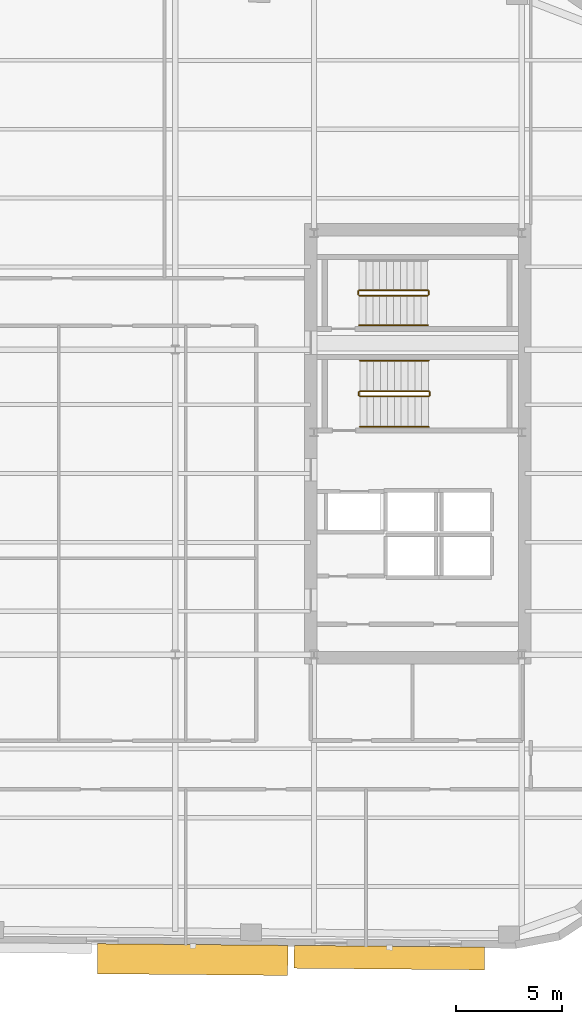
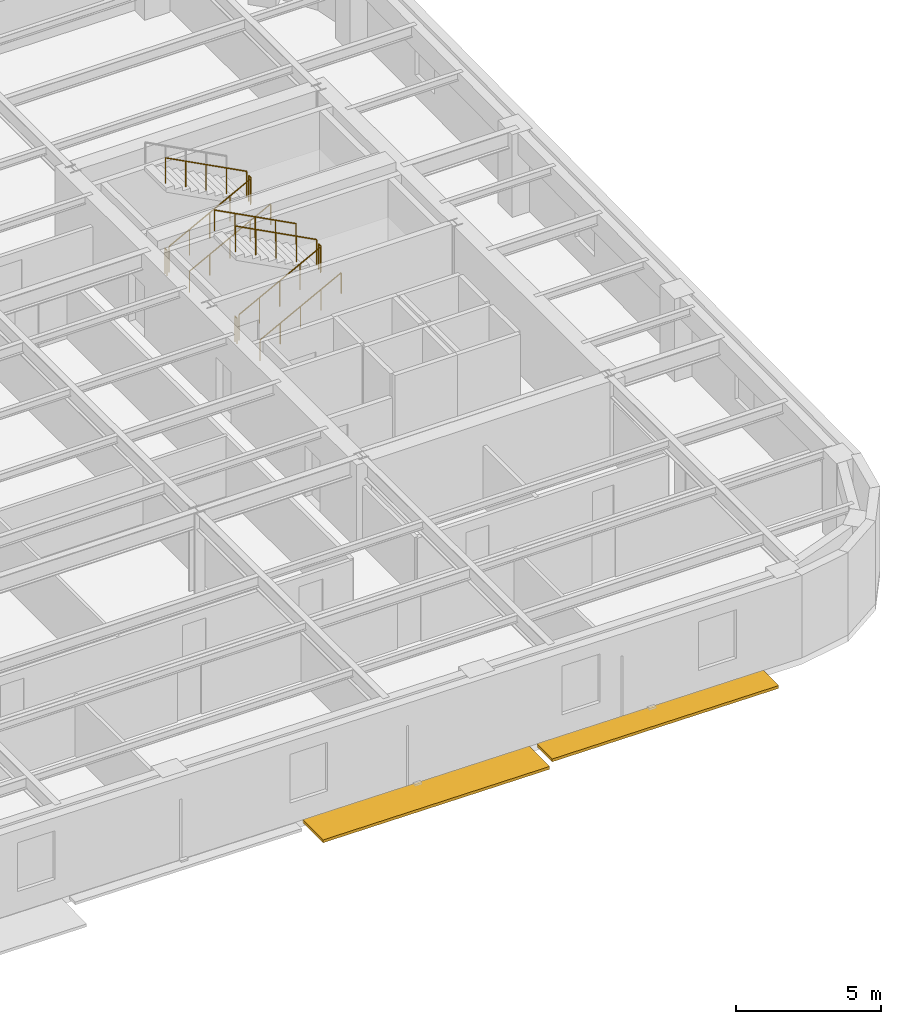
# One storey, part 10 of 11: 11 railings, 2 shading devices.
"""IFC4 building model written with IfcOpenShell, lengths in metres."""

from ifc_helpers import new_model, si_unit, direction, frame, origin, origin_2d, place, context, subcontext, project, spatial, rectangle, circle, extrude, material, type_object, element, save


model = new_model("IFC4")

# Units and contexts
model_context = context("Model", 3, precision=1e-05, world=origin(), true_north=direction((0.0, 1.0)))
body_context = subcontext(model_context, "Body", "Model", "MODEL_VIEW")
ifc_project = project(units=[si_unit("LENGTHUNIT", "METRE"), si_unit("AREAUNIT", "SQUARE_METRE"), si_unit("VOLUMEUNIT", "CUBIC_METRE"), si_unit("PLANEANGLEUNIT", "RADIAN"), si_unit("MASSUNIT", "GRAM", prefix="KILO")], contexts=[model_context])

# Site, building, storey
site_placement = place(None, origin())
site = spatial("IfcSite", under=ifc_project, at=site_placement, CompositionType="ELEMENT")
building_placement = place(site_placement, origin())
building = spatial("IfcBuilding", under=site, at=building_placement, Name="Kolvaren Arena Tower", CompositionType="ELEMENT")
storey_placement = place(building_placement, frame((0.0, 0.0, 173.449951171875)))
storey = spatial("IfcBuildingStorey", under=building, at=storey_placement, Name="L41", CompositionType="ELEMENT", Elevation=173.449951171875)

# Railings
ifc_material_1 = material(Name="Painted galvanized steel", Category="steel")
railing_type_1 = type_object("IfcRailingType", Name="GUARD-ST-110", PredefinedType="GUARDRAIL", material=ifc_material_1)
railing_1_placement = place(storey_placement, frame((52.719970703125, 31.639892578125, 0.17041015625)))
element("IfcRailing", 1, at=railing_1_placement, inside=storey, type_object=railing_type_1, Name="L41 ST-E1 stair guard 1", PredefinedType="GUARDRAIL", context=body_context, shape_type="SweptSolid", body=[
    extrude(circle(Radius=0.02392578125, at=origin_2d()), frame((0.0, 0.0, 1.076171875), z_axis=(0.884993431791, 0.0, 0.465603506952), x_axis=(0.0, 1.0, 0.0)), (0.0, 0.0, 1.0), 3.6611328125),
    extrude(circle(Radius=0.02099609375, at=origin_2d()), origin(), (0.0, 0.0, 1.0), 1.052001953125),
    extrude(circle(Radius=0.02099609375, at=origin_2d()), frame((0.81005859375, 0.0, 0.42626953125)), (0.0, 0.0, 1.0), 1.052001953125),
    extrude(circle(Radius=0.02099609375, at=origin_2d()), frame((1.6201171875, 0.0, 0.852294921875)), (0.0, 0.0, 1.0), 1.052001953125),
    extrude(circle(Radius=0.02099609375, at=origin_2d()), frame((2.429931640625, 0.0, 1.2783203125)), (0.0, 0.0, 1.0), 1.052001953125),
    extrude(circle(Radius=0.02099609375, at=origin_2d()), frame((3.239990234375, 0.0, 1.70458984375)), (0.0, 0.0, 1.0), 1.052001953125),
])
railing_2_placement = place(storey_placement, frame((56.010009765625, 31.68994140625, 1.875)))
element("IfcRailing", 2, at=railing_2_placement, inside=storey, type_object=railing_type_1, Name="L41 ST-E1 stair guard 2", PredefinedType="GUARDRAIL", context=body_context, shape_type="SweptSolid", body=[
    extrude(circle(Radius=0.02392578125, at=origin_2d()), frame((0.0, 0.0, 1.076171875), z_axis=(0.0, 1.0, 0.0), x_axis=(-1.0, 0.0, 0.0)), (0.0, 0.0, 1.0), 0.150146484375),
    extrude(circle(Radius=0.02099609375, at=origin_2d()), origin(), (0.0, 0.0, 1.0), 1.052001953125),
    extrude(circle(Radius=0.02099609375, at=origin_2d()), frame((0.0, 0.150146484375, 0.0)), (0.0, 0.0, 1.0), 1.052001953125),
])
railing_3_placement = place(storey_placement, frame((55.9599609375, 31.889892578125, 2.04541015625)))
element("IfcRailing", 3, at=railing_3_placement, inside=storey, type_object=railing_type_1, Name="L41 ST-E1 stair guard 3", PredefinedType="GUARDRAIL", context=body_context, shape_type="SweptSolid", body=[
    extrude(circle(Radius=0.02392578125, at=origin_2d()), frame((0.0, 0.0, 1.076171875), z_axis=(-0.884993431791, 0.0, 0.465603506952), x_axis=(0.0, -1.0, 0.0)), (0.0, 0.0, 1.0), 3.6611328125),
    extrude(circle(Radius=0.02099609375, at=origin_2d()), origin(), (0.0, 0.0, 1.0), 1.052001953125),
    extrude(circle(Radius=0.02099609375, at=origin_2d()), frame((-0.81005859375, 0.0, 0.42626953125)), (0.0, 0.0, 1.0), 1.052001953125),
    extrude(circle(Radius=0.02099609375, at=origin_2d()), frame((-1.6201171875, 0.0, 0.852294921875)), (0.0, 0.0, 1.0), 1.052001953125),
    extrude(circle(Radius=0.02099609375, at=origin_2d()), frame((-2.429931640625, 0.0, 1.2783203125)), (0.0, 0.0, 1.0), 1.052001953125),
    extrude(circle(Radius=0.02099609375, at=origin_2d()), frame((-3.239990234375, 0.0, 1.70458984375)), (0.0, 0.0, 1.0), 1.052001953125),
])
railing_4_placement = place(storey_placement, frame((52.669921875, 31.68994140625, 0.0)))
element("IfcRailing", 4, at=railing_4_placement, inside=storey, type_object=railing_type_1, Name="L41 ST-E1 stair guard 4", PredefinedType="GUARDRAIL", context=body_context, shape_type="SweptSolid", body=[
    extrude(circle(Radius=0.02392578125, at=origin_2d()), frame((0.0, 0.0, 1.076171875), z_axis=(0.0, 1.0, 0.0), x_axis=(-1.0, 0.0, 0.0)), (0.0, 0.0, 1.0), 0.150146484375),
    extrude(circle(Radius=0.02099609375, at=origin_2d()), origin(), (0.0, 0.0, 1.0), 1.052001953125),
    extrude(circle(Radius=0.02099609375, at=origin_2d()), frame((0.0, 0.150146484375, 0.0)), (0.0, 0.0, 1.0), 1.052001953125),
])
railing_5_placement = place(storey_placement, frame((52.679931640625, 36.39990234375, 0.17041015625)))
element("IfcRailing", 5, at=railing_5_placement, inside=storey, type_object=railing_type_1, Name="L41 ST-E2 stair guard 1", PredefinedType="GUARDRAIL", context=body_context, shape_type="SweptSolid", body=[
    extrude(circle(Radius=0.02392578125, at=origin_2d()), frame((0.0, 0.0, 1.076171875), z_axis=(0.884993431791, 0.0, 0.465603506952), x_axis=(0.0, 1.0, 0.0)), (0.0, 0.0, 1.0), 3.6611328125),
    extrude(circle(Radius=0.02099609375, at=origin_2d()), origin(), (0.0, 0.0, 1.0), 1.052001953125),
    extrude(circle(Radius=0.02099609375, at=origin_2d()), frame((0.81005859375, 0.0, 0.42626953125)), (0.0, 0.0, 1.0), 1.052001953125),
    extrude(circle(Radius=0.02099609375, at=origin_2d()), frame((1.6201171875, 0.0, 0.852294921875)), (0.0, 0.0, 1.0), 1.052001953125),
    extrude(circle(Radius=0.02099609375, at=origin_2d()), frame((2.429931640625, 0.0, 1.2783203125)), (0.0, 0.0, 1.0), 1.052001953125),
    extrude(circle(Radius=0.02099609375, at=origin_2d()), frame((3.239990234375, 0.0, 1.70458984375)), (0.0, 0.0, 1.0), 1.052001953125),
])
railing_6_placement = place(storey_placement, frame((55.969970703125, 36.449951171875, 1.875)))
element("IfcRailing", 6, at=railing_6_placement, inside=storey, type_object=railing_type_1, Name="L41 ST-E2 stair guard 2", PredefinedType="GUARDRAIL", context=body_context, shape_type="SweptSolid", body=[
    extrude(circle(Radius=0.02392578125, at=origin_2d()), frame((0.0, 0.0, 1.076171875), z_axis=(0.0, 1.0, 0.0), x_axis=(-1.0, 0.0, 0.0)), (0.0, 0.0, 1.0), 0.150146484375),
    extrude(circle(Radius=0.02099609375, at=origin_2d()), origin(), (0.0, 0.0, 1.0), 1.052001953125),
    extrude(circle(Radius=0.02099609375, at=origin_2d()), frame((0.0, 0.150146484375, 0.0)), (0.0, 0.0, 1.0), 1.052001953125),
])
railing_7_placement = place(storey_placement, frame((55.919921875, 36.64990234375, 2.04541015625)))
element("IfcRailing", 7, at=railing_7_placement, inside=storey, type_object=railing_type_1, Name="L41 ST-E2 stair guard 3", PredefinedType="GUARDRAIL", context=body_context, shape_type="SweptSolid", body=[
    extrude(circle(Radius=0.02392578125, at=origin_2d()), frame((0.0, 0.0, 1.076171875), z_axis=(-0.884993431791, 0.0, 0.465603506952), x_axis=(0.0, -1.0, 0.0)), (0.0, 0.0, 1.0), 3.6611328125),
    extrude(circle(Radius=0.02099609375, at=origin_2d()), origin(), (0.0, 0.0, 1.0), 1.052001953125),
    extrude(circle(Radius=0.02099609375, at=origin_2d()), frame((-0.81005859375, 0.0, 0.42626953125)), (0.0, 0.0, 1.0), 1.052001953125),
    extrude(circle(Radius=0.02099609375, at=origin_2d()), frame((-1.6201171875, 0.0, 0.852294921875)), (0.0, 0.0, 1.0), 1.052001953125),
    extrude(circle(Radius=0.02099609375, at=origin_2d()), frame((-2.429931640625, 0.0, 1.2783203125)), (0.0, 0.0, 1.0), 1.052001953125),
    extrude(circle(Radius=0.02099609375, at=origin_2d()), frame((-3.239990234375, 0.0, 1.70458984375)), (0.0, 0.0, 1.0), 1.052001953125),
])
railing_8_placement = place(storey_placement, frame((52.6298828125, 36.449951171875, 0.0)))
element("IfcRailing", 8, at=railing_8_placement, inside=storey, type_object=railing_type_1, Name="L41 ST-E2 stair guard 4", PredefinedType="GUARDRAIL", context=body_context, shape_type="SweptSolid", body=[
    extrude(circle(Radius=0.02392578125, at=origin_2d()), frame((0.0, 0.0, 1.076171875), z_axis=(0.0, 1.0, 0.0), x_axis=(-1.0, 0.0, 0.0)), (0.0, 0.0, 1.0), 0.150146484375),
    extrude(circle(Radius=0.02099609375, at=origin_2d()), origin(), (0.0, 0.0, 1.0), 1.052001953125),
    extrude(circle(Radius=0.02099609375, at=origin_2d()), frame((0.0, 0.150146484375, 0.0)), (0.0, 0.0, 1.0), 1.052001953125),
])
ifc_material_2 = material(Name="Brushed stainless steel handrail", Category="steel")
railing_type_2 = type_object("IfcRailingType", Name="HRAIL-900", PredefinedType="HANDRAIL", material=ifc_material_2)
railing_9_placement = place(storey_placement, frame((52.719970703125, 30.199951171875, 0.17041015625)))
element("IfcRailing", 9, at=railing_9_placement, inside=storey, type_object=railing_type_2, Name="L41 ST-E1 stair handrail 1", PredefinedType="HANDRAIL", context=body_context, shape_type="SweptSolid", body=[
    extrude(circle(Radius=0.02392578125, at=origin_2d()), frame((0.0, 0.0, 0.8759765625), z_axis=(0.884993431791, 0.0, 0.465603506952), x_axis=(0.0, 1.0, 0.0)), (0.0, 0.0, 1.0), 3.6611328125),
    extrude(circle(Radius=0.02099609375, at=origin_2d()), origin(), (0.0, 0.0, 1.0), 0.851806640625),
    extrude(circle(Radius=0.02099609375, at=origin_2d()), frame((0.81005859375, 0.0, 0.42626953125)), (0.0, 0.0, 1.0), 0.851806640625),
    extrude(circle(Radius=0.02099609375, at=origin_2d()), frame((1.6201171875, 0.0, 0.852294921875)), (0.0, 0.0, 1.0), 0.851806640625),
    extrude(circle(Radius=0.02099609375, at=origin_2d()), frame((2.429931640625, 0.0, 1.2783203125)), (0.0, 0.0, 1.0), 0.851806640625),
    extrude(circle(Radius=0.02099609375, at=origin_2d()), frame((3.239990234375, 0.0, 1.70458984375)), (0.0, 0.0, 1.0), 0.851806640625),
])
railing_10_placement = place(storey_placement, frame((55.9599609375, 33.330078125, 2.04541015625)))
element("IfcRailing", 10, at=railing_10_placement, inside=storey, type_object=railing_type_2, Name="L41 ST-E1 stair handrail 2", PredefinedType="HANDRAIL", context=body_context, shape_type="SweptSolid", body=[
    extrude(circle(Radius=0.02392578125, at=origin_2d()), frame((0.0, 0.0, 0.8759765625), z_axis=(-0.884993431791, 0.0, 0.465603506952), x_axis=(0.0, -1.0, 0.0)), (0.0, 0.0, 1.0), 3.6611328125),
    extrude(circle(Radius=0.02099609375, at=origin_2d()), origin(), (0.0, 0.0, 1.0), 0.851806640625),
    extrude(circle(Radius=0.02099609375, at=origin_2d()), frame((-0.81005859375, 0.0, 0.42626953125)), (0.0, 0.0, 1.0), 0.851806640625),
    extrude(circle(Radius=0.02099609375, at=origin_2d()), frame((-1.6201171875, 0.0, 0.852294921875)), (0.0, 0.0, 1.0), 0.851806640625),
    extrude(circle(Radius=0.02099609375, at=origin_2d()), frame((-2.429931640625, 0.0, 1.2783203125)), (0.0, 0.0, 1.0), 0.851806640625),
    extrude(circle(Radius=0.02099609375, at=origin_2d()), frame((-3.239990234375, 0.0, 1.70458984375)), (0.0, 0.0, 1.0), 0.851806640625),
])
railing_11_placement = place(storey_placement, frame((52.679931640625, 35.0, 0.17041015625)))
element("IfcRailing", 11, at=railing_11_placement, inside=storey, type_object=railing_type_2, Name="L41 ST-E2 stair handrail 1", PredefinedType="HANDRAIL", context=body_context, shape_type="SweptSolid", body=[
    extrude(circle(Radius=0.02392578125, at=origin_2d()), frame((0.0, 0.0, 0.8759765625), z_axis=(0.884993431791, 0.0, 0.465603506952), x_axis=(0.0, 1.0, 0.0)), (0.0, 0.0, 1.0), 3.6611328125),
    extrude(circle(Radius=0.02099609375, at=origin_2d()), origin(), (0.0, 0.0, 1.0), 0.851806640625),
    extrude(circle(Radius=0.02099609375, at=origin_2d()), frame((0.81005859375, 0.0, 0.42626953125)), (0.0, 0.0, 1.0), 0.851806640625),
    extrude(circle(Radius=0.02099609375, at=origin_2d()), frame((1.6201171875, 0.0, 0.852294921875)), (0.0, 0.0, 1.0), 0.851806640625),
    extrude(circle(Radius=0.02099609375, at=origin_2d()), frame((2.429931640625, 0.0, 1.2783203125)), (0.0, 0.0, 1.0), 0.851806640625),
    extrude(circle(Radius=0.02099609375, at=origin_2d()), frame((3.239990234375, 0.0, 1.70458984375)), (0.0, 0.0, 1.0), 0.851806640625),
])

# Shading devices
ifc_material_3 = material(Name="Architectural precast GFRC and anodised aluminium sunshade", Category="concrete")
shading_device_type_1 = type_object("IfcShadingDeviceType", Name="SHAD-SINE-A", PredefinedType="USERDEFINED", material=ifc_material_3)
shading_device_1_placement = place(storey_placement, frame((54.106201171875, 5.148681640625, -0.139892578125), z_axis=(0.0, 0.0, 1.0), x_axis=(-0.999961923064, 0.008726535498, 0.0)))
element("IfcShadingDevice", 12, at=shading_device_1_placement, inside=storey, type_object=shading_device_type_1, Name="Sinusoidal Slab-Edge Sunshade Louvre (L41)", ObjectType="LOUVRE", PredefinedType="USERDEFINED", context=body_context, shape_type="SweptSolid", body=[
    extrude(rectangle(XDim=8.97998046875, YDim=1.077880859375, at=origin_2d()), origin(), (0.0, 0.0, 1.0), 0.1201171875),
])
shading_device_type_2 = type_object("IfcShadingDeviceType", Name="SHAD-SINE-B", PredefinedType="JALOUSIE", material=ifc_material_3)
shading_device_2_placement = place(storey_placement, frame((44.824951171875, 5.0576171875, -0.139892578125), z_axis=(0.0, 0.0, 1.0), x_axis=(-0.999961923064, 0.008726535498, 0.0)))
element("IfcShadingDevice", 13, at=shading_device_2_placement, inside=storey, type_object=shading_device_type_2, Name="Sinusoidal Slab-Edge Sunshade Louvre (L41)", PredefinedType="JALOUSIE", context=body_context, shape_type="SweptSolid", body=[
    extrude(rectangle(XDim=8.97998046875, YDim=1.421875, at=origin_2d()), origin(), (0.0, 0.0, 1.0), 0.1201171875),
])

save(model, "model.ifc")
